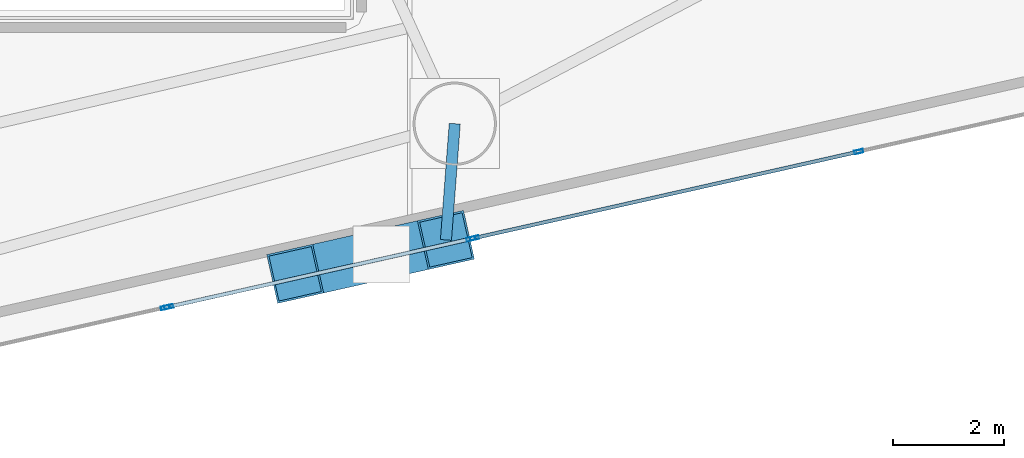
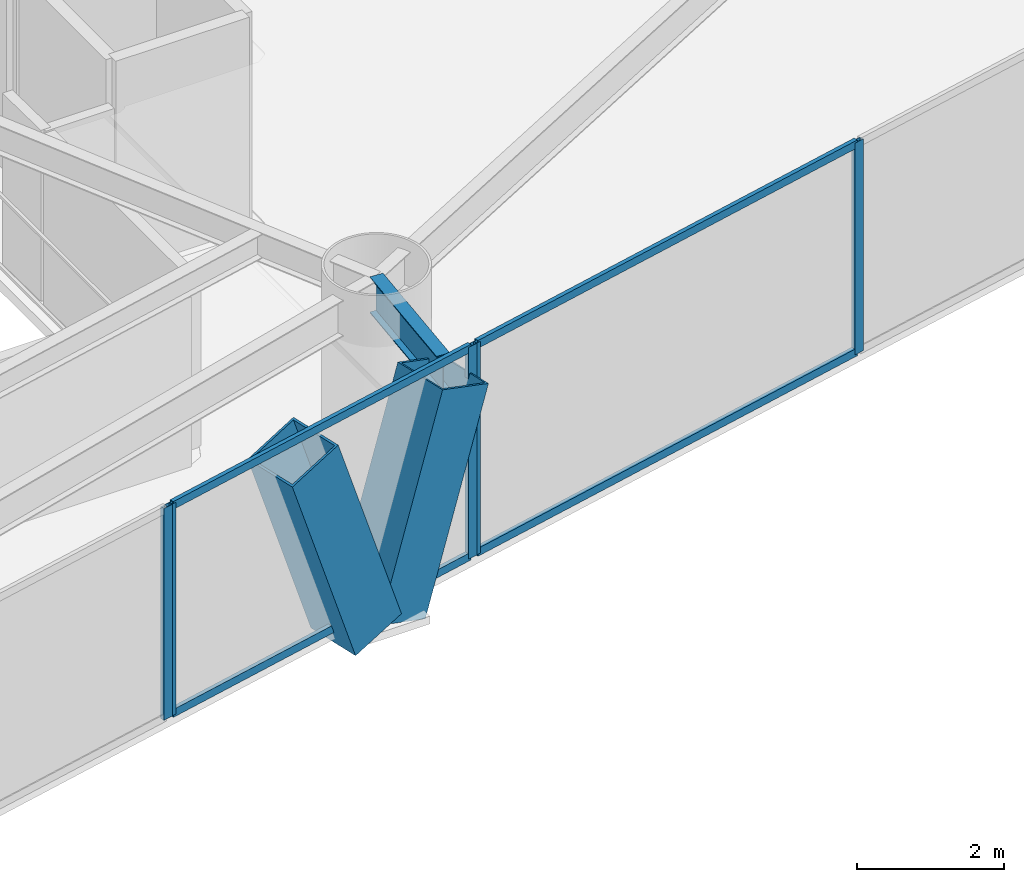
# One storey, part 4 of 18: 11 members, 1 beam, 3 elements without a shape of their own.
"""IFC4 building model written with IfcOpenShell, lengths in metres."""

from ifc_helpers import new_model, si_unit, direction, frame, origin, origin_2d, place, context, subcontext, project, spatial, hollow_rectangle, i_section, extrude, material, layer, layer_set, material_profile, profile_set, type_object, element, aggregate, save


model = new_model("IFC4")

# Units and contexts
model_context = context("Model", 3, precision=1e-05, world=origin(), true_north=direction((0.0, 1.0)))
body_context = subcontext(model_context, "Body", "Model", "MODEL_VIEW")
ifc_project = project(units=[si_unit("LENGTHUNIT", "METRE"), si_unit("AREAUNIT", "SQUARE_METRE"), si_unit("VOLUMEUNIT", "CUBIC_METRE"), si_unit("PLANEANGLEUNIT", "RADIAN"), si_unit("MASSUNIT", "GRAM", prefix="KILO")], contexts=[model_context])

# Site, building, storey
site_placement = place(None, origin())
site = spatial("IfcSite", under=ifc_project, at=site_placement, CompositionType="ELEMENT")
building_placement = place(site_placement, origin())
building = spatial("IfcBuilding", under=site, at=building_placement, Name="Qianvela Tower", CompositionType="ELEMENT")
storey_placement = place(building_placement, frame((0.0, 0.0, 97.800048828125)))
storey = spatial("IfcBuildingStorey", under=building, at=storey_placement, Name="L24", CompositionType="ELEMENT", Elevation=97.800048828125)

# Beam
ifc_material_1 = material(Name="Steel Q355B", Category="steel")
ifc_material_profile_1 = material_profile(ifc_material_1, i_section(OverallWidth=0.199951171875, OverallDepth=0.60009765625, WebThickness=0.010986328125, FlangeThickness=0.01708984375, at=origin_2d()), Name="HN600x200x11x17")
ifc_profile_set_1 = profile_set([ifc_material_profile_1], Name="Steel Q355B")
beam_type = type_object("IfcBeamType", Name="BM-HN600-GIRD", PredefinedType="BEAM", material=ifc_profile_set_1)
beam_placement = place(storey_placement, frame((41.988037109375, 15.95703125, 3.218017578125), z_axis=(-0.075619981506, -0.997136709984, 0.0), x_axis=(0.997136709984, -0.075619981506, 0.0)))
element("IfcBeam", 1, at=beam_placement, inside=storey, type_object=beam_type, Name="L24 Mega-Brace Column Tie Bracket F3-2", PredefinedType="BEAM", context=body_context, shape_type="SweptSolid", body=[
    extrude(i_section(OverallWidth=0.199951171875, OverallDepth=0.60009765625, WebThickness=0.010986328125, FlangeThickness=0.01708984375, at=origin_2d()), origin(), (0.0, 0.0, 1.0), 2.0986328125),
])

# Curtain wall, members
ifc_material_2 = material(Name="Anodised Architectural Aluminium and Insulated Spandrel Panel", Category="aluminium")
ifc_layer_1 = layer(ifc_material_2, 0.179931640625)
ifc_layer_set_1 = layer_set([ifc_layer_1], Name="Anodised Architectural Aluminium and Insulated Spandrel Panel")
curtain_wall_type_1 = type_object("IfcCurtainWallType", Name="CW-BRACEBAY", PredefinedType="USERDEFINED", material=ifc_layer_set_1)
curtain_wall_1_placement = place(storey_placement, origin())
curtain_wall_1 = element("IfcCurtainWall", 2, at=curtain_wall_1_placement, inside=storey, type_object=curtain_wall_type_1, Name="L24 CW-BRACEBAY Curtain Wall 06B", ObjectType="CURTAIN_WALL_SYSTEM", PredefinedType="USERDEFINED")
ifc_material_3 = material(Name="Anodised Architectural Aluminium 6063-T6", Category="aluminium")
ifc_material_profile_2 = material_profile(ifc_material_3, hollow_rectangle(XDim=0.06494140625, YDim=0.159912109375, WallThickness=0.0048828125, at=origin_2d()), Name="ALU-MULL-65x160")
ifc_profile_set_2 = profile_set([ifc_material_profile_2], Name="Anodised Architectural Aluminium 6063-T6")
member_type_1 = type_object("IfcMemberType", Name="CW-BRACEBAY-MULL", PredefinedType="MULLION", material=ifc_profile_set_2)
member_1_placement = place(storey_placement, frame((36.840087890625, 12.660888671875, 0.0), z_axis=(0.0, 0.0, 1.0), x_axis=(-0.219379715221, 0.975639554625, 0.0)))
member_1 = element("IfcMember", 3, at=member_1_placement, type_object=member_type_1, Name="CW-9 mullion 1", PredefinedType="MULLION", context=body_context, shape_type="SweptSolid", body=[
    extrude(hollow_rectangle(XDim=0.06494140625, YDim=0.159912109375, WallThickness=0.0048828125, at=origin_2d()), origin(), (0.0, 0.0, 1.0), 3.52001953125),
])
member_2_placement = place(storey_placement, frame((42.279296875, 13.8837890625, 0.0), z_axis=(0.0, 0.0, 1.0), x_axis=(-0.219379715221, 0.975639554625, 0.0)))
member_2 = element("IfcMember", 4, at=member_2_placement, type_object=member_type_1, Name="CW-9 mullion 2", PredefinedType="MULLION", context=body_context, shape_type="SweptSolid", body=[
    extrude(hollow_rectangle(XDim=0.06494140625, YDim=0.159912109375, WallThickness=0.0048828125, at=origin_2d()), origin(), (0.0, 0.0, 1.0), 3.52001953125),
])
ifc_material_4 = material(Name="Anodised Architectural Aluminium 6063-T6", Category="aluminium")
ifc_material_profile_3 = material_profile(ifc_material_4, hollow_rectangle(XDim=0.06494140625, YDim=0.1298828125, WallThickness=0.00439453125, at=origin_2d()), Name="ALU-TRAN-65x130")
ifc_profile_set_3 = profile_set([ifc_material_profile_3], Name="Anodised Architectural Aluminium 6063-T6")
member_type_2 = type_object("IfcMemberType", Name="CW-BRACEBAY-TRAN", PredefinedType="USERDEFINED", material=ifc_profile_set_3)
member_3_placement = place(storey_placement, frame((36.871826171875, 12.66796875, 0.032470703125), z_axis=(0.97564295551, 0.219364590042, 0.0), x_axis=(-0.219364590042, 0.97564295551, 0.0)))
member_3 = element("IfcMember", 5, at=member_3_placement, type_object=member_type_2, Name="CW-9 transom 1.1", ObjectType="TRANSOM", PredefinedType="USERDEFINED", context=body_context, shape_type="SweptSolid", body=[
    extrude(hollow_rectangle(XDim=0.06494140625, YDim=0.1298828125, WallThickness=0.00439453125, at=origin_2d()), origin(), (0.0, 0.0, 1.0), 5.51025390625),
])
member_4_placement = place(storey_placement, frame((36.871826171875, 12.66796875, 3.487548828125), z_axis=(0.97564295551, 0.219364590042, 0.0), x_axis=(-0.219364590042, 0.97564295551, 0.0)))
member_4 = element("IfcMember", 6, at=member_4_placement, type_object=member_type_2, Name="CW-9 transom 1.2", ObjectType="TRANSOM", PredefinedType="USERDEFINED", context=body_context, shape_type="SweptSolid", body=[
    extrude(hollow_rectangle(XDim=0.06494140625, YDim=0.1298828125, WallThickness=0.00439453125, at=origin_2d()), origin(), (0.0, 0.0, 1.0), 5.51025390625),
])
aggregate(curtain_wall_1, [member_1, member_2, member_3, member_4])

# Curtain wall, member
ifc_material_5 = material(Name="Anodised Architectural Aluminium and Low-E Glass", Category="aluminium")
ifc_layer_2 = layer(ifc_material_5, 0.169921875)
ifc_layer_set_2 = layer_set([ifc_layer_2], Name="Anodised Architectural Aluminium and Low-E Glass")
curtain_wall_type_2 = type_object("IfcCurtainWallType", Name="CW-COLIV-Z34", PredefinedType="USERDEFINED", material=ifc_layer_set_2)
curtain_wall_2_placement = place(storey_placement, origin())
curtain_wall_2 = element("IfcCurtainWall", 7, at=curtain_wall_2_placement, inside=storey, type_object=curtain_wall_type_2, Name="L24 CW-COLIV-Z34 Curtain Wall 06A", ObjectType="CURTAIN_WALL_SYSTEM", PredefinedType="USERDEFINED")
ifc_material_6 = material(Name="Anodised Architectural Aluminium 6063-T6", Category="aluminium")
ifc_material_profile_4 = material_profile(ifc_material_6, hollow_rectangle(XDim=0.06494140625, YDim=0.159912109375, WallThickness=0.0048828125, at=origin_2d()), Name="ALU-MULL-65x160")
ifc_profile_set_4 = profile_set([ifc_material_profile_4], Name="Anodised Architectural Aluminium 6063-T6")
member_type_3 = type_object("IfcMemberType", Name="CW-COLIV-Z34-MULL", PredefinedType="MULLION", material=ifc_profile_set_4)
member_5_placement = place(storey_placement, frame((36.77685546875, 12.646484375, 0.0), z_axis=(0.0, 0.0, 1.0), x_axis=(-0.219387090436, 0.975637896225, 0.0)))
member_5 = element("IfcMember", 8, at=member_5_placement, type_object=member_type_3, Name="CW-4 mullion 2", PredefinedType="MULLION", context=body_context, shape_type="SweptSolid", body=[
    extrude(hollow_rectangle(XDim=0.06494140625, YDim=0.159912109375, WallThickness=0.0048828125, at=origin_2d()), origin(), (0.0, 0.0, 1.0), 3.52001953125),
])
aggregate(curtain_wall_2, [member_5])

# Curtain wall, members
curtain_wall_3_placement = place(storey_placement, origin())
curtain_wall_3 = element("IfcCurtainWall", 9, at=curtain_wall_3_placement, inside=storey, type_object=curtain_wall_type_2, Name="L24 CW-COLIV-Z34 Curtain Wall 06C", ObjectType="CURTAIN_WALL_SYSTEM", PredefinedType="USERDEFINED")
member_6_placement = place(storey_placement, frame((42.3427734375, 13.898193359375, 0.0), z_axis=(0.0, 0.0, 1.0), x_axis=(-0.219382412663, 0.975638948082, 0.0)))
member_6 = element("IfcMember", 10, at=member_6_placement, type_object=member_type_3, Name="CW-4 mullion 1", PredefinedType="MULLION", context=body_context, shape_type="SweptSolid", body=[
    extrude(hollow_rectangle(XDim=0.06494140625, YDim=0.159912109375, WallThickness=0.0048828125, at=origin_2d()), origin(), (0.0, 0.0, 1.0), 3.52001953125),
])
member_7_placement = place(storey_placement, frame((49.2607421875, 15.45361328125, 0.0), z_axis=(0.0, 0.0, 1.0), x_axis=(-0.219382412663, 0.975638948082, 0.0)))
member_7 = element("IfcMember", 11, at=member_7_placement, type_object=member_type_3, Name="CW-4 mullion 2", PredefinedType="MULLION", context=body_context, shape_type="SweptSolid", body=[
    extrude(hollow_rectangle(XDim=0.06494140625, YDim=0.159912109375, WallThickness=0.0048828125, at=origin_2d()), origin(), (0.0, 0.0, 1.0), 3.52001953125),
])
ifc_material_7 = material(Name="Anodised Architectural Aluminium 6063-T6", Category="aluminium")
ifc_material_profile_5 = material_profile(ifc_material_7, hollow_rectangle(XDim=0.06494140625, YDim=0.1298828125, WallThickness=0.00439453125, at=origin_2d()), Name="ALU-TRAN-65x130")
ifc_profile_set_5 = profile_set([ifc_material_profile_5], Name="Anodised Architectural Aluminium 6063-T6")
member_type_4 = type_object("IfcMemberType", Name="CW-COLIV-Z34-TRAN", PredefinedType="USERDEFINED", material=ifc_profile_set_5)
member_8_placement = place(storey_placement, frame((42.37451171875, 13.9052734375, 0.032470703125), z_axis=(0.975640258845, 0.219376583348, 0.0), x_axis=(-0.219376583348, 0.975640258845, 0.0)))
member_8 = element("IfcMember", 12, at=member_8_placement, type_object=member_type_4, Name="CW-4 transom 1.1", ObjectType="TRANSOM", PredefinedType="USERDEFINED", context=body_context, shape_type="SweptSolid", body=[
    extrude(hollow_rectangle(XDim=0.06494140625, YDim=0.1298828125, WallThickness=0.00439453125, at=origin_2d()), origin(), (0.0, 0.0, 1.0), 7.025634765625),
])
member_9_placement = place(storey_placement, frame((42.37451171875, 13.9052734375, 3.487548828125), z_axis=(0.975640258845, 0.219376583348, 0.0), x_axis=(-0.219376583348, 0.975640258845, 0.0)))
member_9 = element("IfcMember", 13, at=member_9_placement, type_object=member_type_4, Name="CW-4 transom 1.2", ObjectType="TRANSOM", PredefinedType="USERDEFINED", context=body_context, shape_type="SweptSolid", body=[
    extrude(hollow_rectangle(XDim=0.06494140625, YDim=0.1298828125, WallThickness=0.00439453125, at=origin_2d()), origin(), (0.0, 0.0, 1.0), 7.025634765625),
])
aggregate(curtain_wall_3, [member_6, member_7, member_8, member_9])

# Members
ifc_material_8 = material(Name="Steel Q420GJC", Category="steel")
ifc_material_profile_6 = material_profile(ifc_material_8, hollow_rectangle(XDim=0.89990234375, YDim=0.89990234375, WallThickness=0.035888671875, at=origin_2d()), Name="MBOX-900x900x36")
ifc_profile_set_6 = profile_set([ifc_material_profile_6], Name="Steel Q420GJC")
member_type_5 = type_object("IfcMemberType", Name="MBR-MBRACE-900", PredefinedType="BRACE", material=ifc_profile_set_6)
for number, where, z_axis, x_axis, name in (
    (14, (40.257568359375, 13.51123046875, -0.14013671875), (-0.321203738033, -0.0722176389, 0.944252493407), (0.2193583796, -0.975644351851, 0.0), "L24 Tier 4 Exterior Mega-Brace F3A"),
    (15, (40.68701171875, 13.60791015625, -0.14013671875), (0.321205329686, 0.072149348472, 0.944257172436), (-0.219159883788, 0.975688959319, 0.0), "L24 Tier 4 Exterior Mega-Brace F3B"),
):
    element("IfcMember", number, at=place(storey_placement, frame(where, z_axis=z_axis, x_axis=x_axis)), inside=storey, type_object=member_type_5, Name=name, PredefinedType="BRACE", context=body_context, shape_type="SweptSolid", body=[
        extrude(hollow_rectangle(XDim=0.89990234375, YDim=0.89990234375, WallThickness=0.035888671875, at=origin_2d()), origin(), (0.0, 0.0, 1.0), 3.556396484375),
    ])

save(model, "model.ifc")
